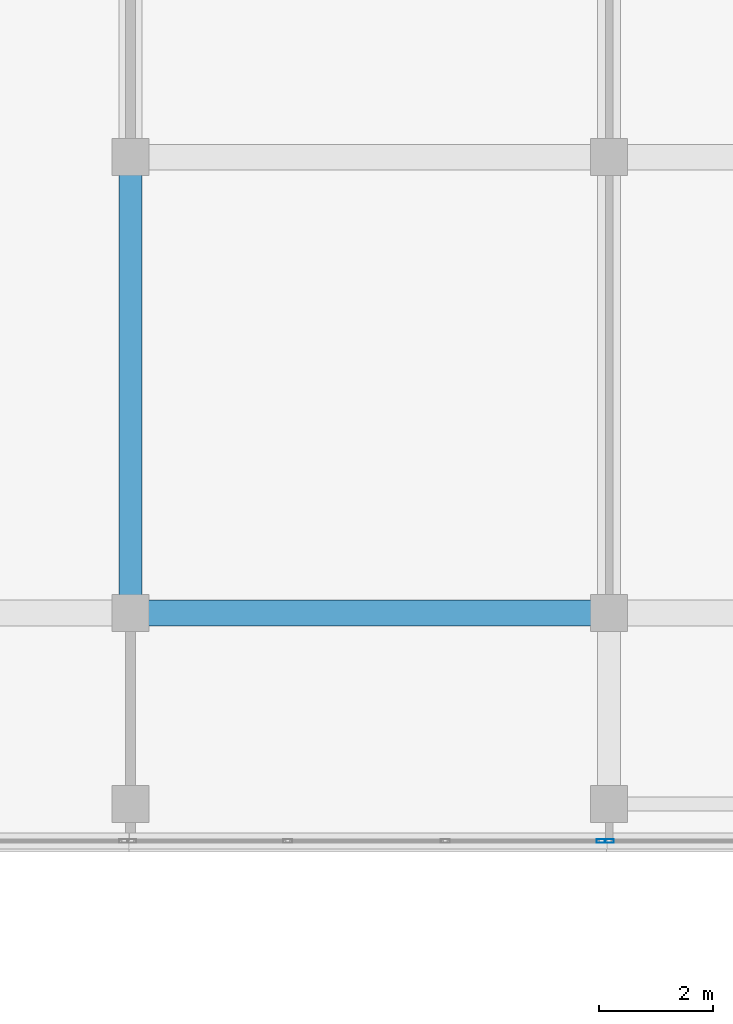
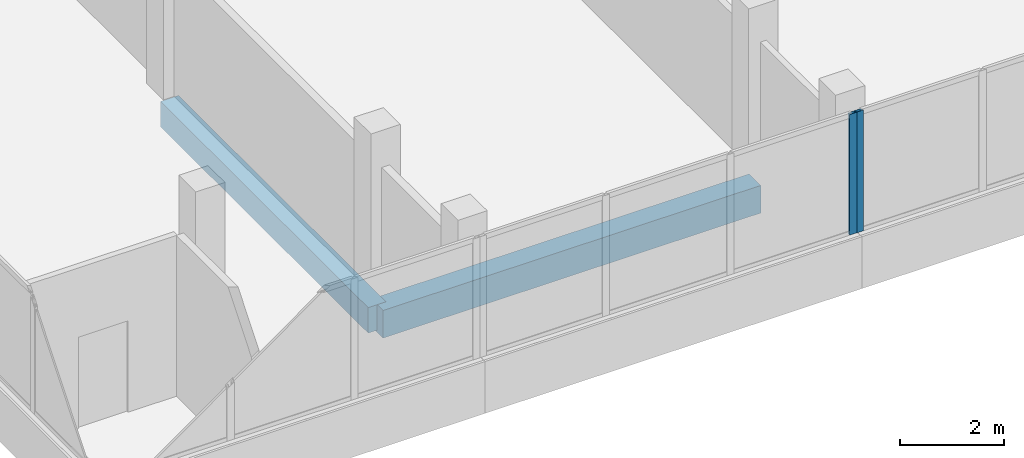
# One storey, part 5 of 76: 2 beams, 2 members, 2 elements without a shape of their own.
"""IFC4 building model written with IfcOpenShell, lengths in metres."""

import ifcopenshell
import ifcopenshell.guid

model = None  # the IFC model being written
_history = None  # IfcOwnerHistory: only IFC2X3 demands one
_inside = {}  # id of a spatial element -> (the spatial element, [elements in it])
_under = {}  # id of a project, library or spatial element -> (it, [spatial elements below it])
_declared = {}  # id of a project -> (the project, [libraries it declares])
_typed = {}  # id of a type object -> (the type object, [elements of that type])
_made_of = {}  # id of a material, layer set ... -> (it, [elements and type objects made of it])


def new_model(schema):
    """Start an empty IFC model of exactly this schema.

    Asked for "IFC4X3", IfcOpenShell would pick the latest addendum, in which some entities
    have other attributes; the version numbers below select the first issue.
    IFC2X3 requires an IfcOwnerHistory on every rooted entity: one is made here for all.
    """
    global model, _history
    if schema == "IFC4X3":
        model = ifcopenshell.file(schema_version=(4, 3, 0, 0))
    else:
        model = ifcopenshell.file(schema=schema)
    _inside.clear()
    _under.clear()
    _declared.clear()
    _typed.clear()
    _made_of.clear()
    _history = None
    if model.schema == "IFC2X3":
        org = make("IfcOrganization", Name="unknown")
        user = make(
            "IfcPersonAndOrganization",
            ThePerson=make("IfcPerson", FamilyName="unknown"),
            TheOrganization=org,
        )
        app = make(
            "IfcApplication",
            ApplicationDeveloper=org,
            Version="unknown",
            ApplicationFullName="unknown",
            ApplicationIdentifier="unknown",
        )
        _history = make(
            "IfcOwnerHistory",
            OwningUser=user,
            OwningApplication=app,
            ChangeAction="ADDED",
            CreationDate=0,
        )
    return model


def make(cls, **values):
    """One entity of the class cls with the attributes given. An attribute that is None is left unset."""
    return model.create_entity(
        cls, **{name: value for name, value in values.items() if value is not None}
    )


def rooted(cls, **values):
    """An entity with a GlobalId (a new one), such as an element, a storey or a relation."""
    return make(cls, GlobalId=ifcopenshell.guid.new(), OwnerHistory=_history, **values)


def si_unit(unit_type, name, prefix=None):
    """IfcSIUnit, for example si_unit("LENGTHUNIT", "METRE", prefix="MILLI")."""
    return make("IfcSIUnit", UnitType=unit_type, Prefix=prefix, Name=name)


def assignment(units):
    """IfcUnitAssignment: the units of a project."""
    return None if units is None else make("IfcUnitAssignment", Units=units)


def point(xyz):
    """IfcCartesianPoint."""
    return None if xyz is None else make("IfcCartesianPoint", Coordinates=xyz)


def direction(xyz):
    """IfcDirection."""
    return None if xyz is None else make("IfcDirection", DirectionRatios=xyz)


def frame(location, z_axis=None, x_axis=None):
    """IfcAxis2Placement3D, a coordinate frame: its origin and axes. An axis left out is left unset."""
    return make(
        "IfcAxis2Placement3D",
        Location=point(location),
        Axis=direction(z_axis),
        RefDirection=direction(x_axis),
    )


def frame_2d(location, x_axis=None):
    """IfcAxis2Placement2D, a coordinate frame in the plane: its origin and x axis."""
    return make(
        "IfcAxis2Placement2D", Location=point(location), RefDirection=direction(x_axis)
    )


def origin():
    """The frame at (0, 0, 0) with its axes left unset."""
    return frame((0.0, 0.0, 0.0))


def origin_2d():
    """The frame at (0, 0) in the plane with its x axis left unset."""
    return frame_2d((0.0, 0.0))


def place(relative_to, where):
    """IfcLocalPlacement: puts the frame where relative to a parent placement (None: the world)."""
    return make(
        "IfcLocalPlacement", PlacementRelTo=relative_to, RelativePlacement=where
    )


def context(
    kind, dimensions, precision=None, world=None, true_north=None, identifier=None
):
    """IfcGeometricRepresentationContext, for example the 3D "Model" context."""
    return make(
        "IfcGeometricRepresentationContext",
        ContextIdentifier=identifier,
        ContextType=kind,
        CoordinateSpaceDimension=dimensions,
        Precision=precision,
        WorldCoordinateSystem=world,
        TrueNorth=true_north,
    )


def subcontext(parent, identifier, kind, view, scale=None):
    """IfcGeometricRepresentationSubContext, for example "Body" below "Model"."""
    return make(
        "IfcGeometricRepresentationSubContext",
        ContextIdentifier=identifier,
        ContextType=kind,
        ParentContext=parent,
        TargetScale=scale,
        TargetView=view,
    )


def project(units=None, contexts=None):
    """IfcProject with its units and contexts."""
    return rooted(
        "IfcProject",
        Name="project",
        RepresentationContexts=contexts,
        UnitsInContext=assignment(units),
    )


def spatial(cls, under=None, at=None, **own):
    """A site, building, storey or space (cls), placed at a placement, below another one or the project."""
    s = rooted(cls, ObjectPlacement=at, **own)
    if under is not None:
        _under.setdefault(under.id(), (under, []))[1].append(s)
    return s


def profile(cls, at=None, kind="AREA", **sizes):
    """A parametric profile (cls). Its sizes go by their IFC names, for example OverallWidth=200.0."""
    return make(cls, ProfileType=kind, Position=at, **sizes)


def rectangle(**sizes):
    """IfcRectangleProfileDef."""
    return profile("IfcRectangleProfileDef", **sizes)


def hollow_rectangle(**sizes):
    """IfcRectangleHollowProfileDef."""
    return profile("IfcRectangleHollowProfileDef", **sizes)


def extrude(swept, where, along, depth):
    """IfcExtrudedAreaSolid: the profile swept, set in the frame where, extruded along a direction by depth."""
    return make(
        "IfcExtrudedAreaSolid",
        SweptArea=swept,
        Position=where,
        ExtrudedDirection=direction(along),
        Depth=depth,
    )


def shape(context_of_items, identifier, shape_type, items):
    """IfcShapeRepresentation: the items that make up one representation, for example the "Body"."""
    return make(
        "IfcShapeRepresentation",
        ContextOfItems=context_of_items,
        RepresentationIdentifier=identifier,
        RepresentationType=shape_type,
        Items=items,
    )


def material(Name=None, Category=None):
    """IfcMaterial."""
    return make("IfcMaterial", Name=Name, Category=Category)


def material_profile(
    of_material, cross_section, Name=None, Category=None, Priority=None
):
    """IfcMaterialProfile: a cross section and its material."""
    return make(
        "IfcMaterialProfile",
        Name=Name,
        Material=of_material,
        Profile=cross_section,
        Priority=Priority,
        Category=Category,
    )


def profile_set(profiles, Name=None, composite=None):
    """IfcMaterialProfileSet."""
    return make(
        "IfcMaterialProfileSet",
        Name=Name,
        MaterialProfiles=profiles,
        CompositeProfile=composite,
    )


def made_of(thing, what):
    """Note that an element or type object is made of a material, layer set ...; save() writes the relation."""
    if what is not None:
        _made_of.setdefault(what.id(), (what, []))[1].append(thing)
    return thing


def type_object(cls, material=None, **own):
    """A type object (cls), such as IfcWallType, which elements share."""
    return made_of(rooted(cls, **own), material)


def element(
    cls,
    number,
    at=None,
    inside=None,
    cuts=None,
    type_object=None,
    material=None,
    context=None,
    identifier="Body",
    shape_type=None,
    held_by="IfcProductDefinitionShape",
    body=None,
    shapes=None,
    **own,
):
    """One element of the class cls, such as IfcWall. Its Tag is "e" and its number.

    at: its placement. inside: the storey or other place that contains it. cuts: it is an
    opening in that element (IfcRelVoidsElement). A single representation is given by context,
    identifier, shape_type and body (its items); several are given by shapes. held_by: the class
    of the entity that holds the representations. save() writes the other relations.
    """
    e = rooted(cls, Tag="e%d" % number, ObjectPlacement=at, **own)
    if body is not None:
        shapes = [shape(context, identifier, shape_type, body)]
    if shapes is not None:
        e.Representation = make(held_by, Representations=shapes)
    if inside is not None:
        _inside.setdefault(inside.id(), (inside, []))[1].append(e)
    if cuts is not None:
        rooted(
            "IfcRelVoidsElement", RelatingBuildingElement=cuts, RelatedOpeningElement=e
        )
    if type_object is not None:
        _typed.setdefault(type_object.id(), (type_object, []))[1].append(e)
    return made_of(e, material)


def aggregate(whole, parts):
    """IfcRelAggregates: a whole, such as a stair, and the parts it consists of."""
    return rooted("IfcRelAggregates", RelatingObject=whole, RelatedObjects=parts)


def save(model, path):
    """Write the relations noted so far, then the file.

    IfcRelAggregates (storeys below a building ...), IfcRelContainedInSpatialStructure (elements
    in a storey), IfcRelDefinesByType, IfcRelAssociatesMaterial and IfcRelDeclares: one each for
    every whole, place, type object, material and project.
    """
    for whole, parts in _under.values():
        aggregate(whole, parts)
    for where, things in _inside.values():
        rooted(
            "IfcRelContainedInSpatialStructure",
            RelatedElements=things,
            RelatingStructure=where,
        )
    for kind, things in _typed.values():
        rooted("IfcRelDefinesByType", RelatedObjects=things, RelatingType=kind)
    for what, things in _made_of.values():
        rooted("IfcRelAssociatesMaterial", RelatedObjects=things, RelatingMaterial=what)
    for by, libraries in _declared.values():
        rooted("IfcRelDeclares", RelatingContext=by, RelatedDefinitions=libraries)
    model.write(path)


model = new_model("IFC4")

# Units and contexts
model_context = context("Model", 3, precision=1e-05, world=origin(), true_north=direction((0.0, 1.0)))
body_context = subcontext(model_context, "Body", "Model", "MODEL_VIEW")
ifc_project = project(units=[si_unit("LENGTHUNIT", "METRE"), si_unit("AREAUNIT", "SQUARE_METRE"), si_unit("VOLUMEUNIT", "CUBIC_METRE"), si_unit("PLANEANGLEUNIT", "RADIAN"), si_unit("MASSUNIT", "GRAM", prefix="KILO")], contexts=[model_context])

# Site, building, storey
site_placement = place(None, origin())
site = spatial("IfcSite", under=ifc_project, at=site_placement, CompositionType="ELEMENT")
building_placement = place(site_placement, origin())
building = spatial("IfcBuilding", under=site, at=building_placement, Name="Selatvlak General Hospital", CompositionType="ELEMENT")
storey_placement = place(building_placement, frame((0.0, 0.0, 27.300048828125)))
storey = spatial("IfcBuildingStorey", under=building, at=storey_placement, Name="L06", CompositionType="ELEMENT", Elevation=27.300048828125)

# Beams
ifc_material_1 = material(Name="Concrete C40/50", Category="concrete")
ifc_material_profile_1 = material_profile(ifc_material_1, rectangle(XDim=0.449951171875, YDim=0.64990234375, at=origin_2d()), Name="RC-BM 450x650")
ifc_profile_set_1 = profile_set([ifc_material_profile_1], Name="Concrete C40/50")
beam_type_1 = type_object("IfcBeamType", Name="BM-G04", PredefinedType="BEAM", material=ifc_profile_set_1)
beam_1_placement = place(storey_placement, frame((31.199951171875, 92.0, -0.60009765625), z_axis=(1.0, 0.0, 0.0), x_axis=(0.0, 1.0, 0.0)))
element("IfcBeam", 1, at=beam_1_placement, inside=storey, type_object=beam_type_1, Name="Beam BMR-L06-2163", PredefinedType="BEAM", context=body_context, shape_type="SweptSolid", body=[
    extrude(rectangle(XDim=0.449951171875, YDim=0.64990234375, at=origin_2d()), origin(), (0.0, 0.0, 1.0), 8.400146484375),
])
ifc_material_profile_2 = material_profile(ifc_material_1, rectangle(XDim=0.39990234375, YDim=0.60009765625, at=origin_2d()), Name="RC-BM 400x600")
ifc_profile_set_2 = profile_set([ifc_material_profile_2], Name="Concrete C40/50")
beam_type_2 = type_object("IfcBeamType", Name="BM-G05", PredefinedType="BEAM", material=ifc_profile_set_2)
beam_2_placement = place(storey_placement, frame((31.199951171875, 92.0, -0.574951171875), z_axis=(0.0, 1.0, 0.0), x_axis=(-1.0, 0.0, 0.0)))
element("IfcBeam", 2, at=beam_2_placement, inside=storey, type_object=beam_type_2, Name="Beam BMR-L06-2246", PredefinedType="BEAM", context=body_context, shape_type="SweptSolid", body=[
    extrude(rectangle(XDim=0.39990234375, YDim=0.60009765625, at=origin_2d()), origin(), (0.0, 0.0, 1.0), 8.0),
])

# Curtain wall, member
ifc_material_2 = material(Name="Solar-control Low-E double glazing", Category="glass")
curtain_wall_type_1 = type_object("IfcCurtainWallType", Name="CW-CW-02", PredefinedType="USERDEFINED", material=ifc_material_2)
curtain_wall_1_placement = place(storey_placement, origin())
curtain_wall_1 = element("IfcCurtainWall", 3, at=curtain_wall_1_placement, inside=storey, type_object=curtain_wall_type_1, Name="Glazed facade curtain wall CW-L06-0636", ObjectType="UNITISED CURTAIN WALL", PredefinedType="USERDEFINED")
ifc_material_3 = material(Name="Dark anodised aluminium mullion", Category="aluminium")
ifc_material_profile_3 = material_profile(ifc_material_3, hollow_rectangle(XDim=0.06494140625, YDim=0.159912109375, WallThickness=0.00390625, at=origin_2d()), Name="AL-MUL 65x160x4")
ifc_profile_set_3 = profile_set([ifc_material_profile_3], Name="Dark anodised aluminium mullion")
member_type = type_object("IfcMemberType", Name="CWM-01", PredefinedType="MULLION", material=ifc_profile_set_3)
member_1_placement = place(storey_placement, frame((39.60546875, 88.0, 0.93994140625), z_axis=(0.0, 0.0, 1.0), x_axis=(0.0, -1.0, 0.0)))
member_1 = element("IfcMember", 4, at=member_1_placement, type_object=member_type, Name="CW-02 mullion 4", PredefinedType="MULLION", context=body_context, shape_type="SweptSolid", body=[
    extrude(hollow_rectangle(XDim=0.06494140625, YDim=0.159912109375, WallThickness=0.00390625, at=origin_2d()), origin(), (0.0, 0.0, 1.0), 2.840087890625),
])
aggregate(curtain_wall_1, [member_1])

curtain_wall_type_2 = type_object("IfcCurtainWallType", Name="CW-CW-01", PredefinedType="USERDEFINED", material=ifc_material_2)
curtain_wall_2_placement = place(storey_placement, origin())
curtain_wall_2 = element("IfcCurtainWall", 5, at=curtain_wall_2_placement, inside=storey, type_object=curtain_wall_type_2, Name="Glazed facade curtain wall CW-L06-0637", ObjectType="UNITISED CURTAIN WALL", PredefinedType="USERDEFINED")
member_2_placement = place(storey_placement, frame((39.46044921875, 88.0, 0.93994140625), z_axis=(0.0, 0.0, 1.0), x_axis=(0.0, -1.0, 0.0)))
member_2 = element("IfcMember", 6, at=member_2_placement, type_object=member_type, Name="CW-01 mullion 1", PredefinedType="MULLION", context=body_context, shape_type="SweptSolid", body=[
    extrude(hollow_rectangle(XDim=0.06494140625, YDim=0.159912109375, WallThickness=0.00390625, at=origin_2d()), origin(), (0.0, 0.0, 1.0), 2.840087890625),
])
aggregate(curtain_wall_2, [member_2])

save(model, "model.ifc")
